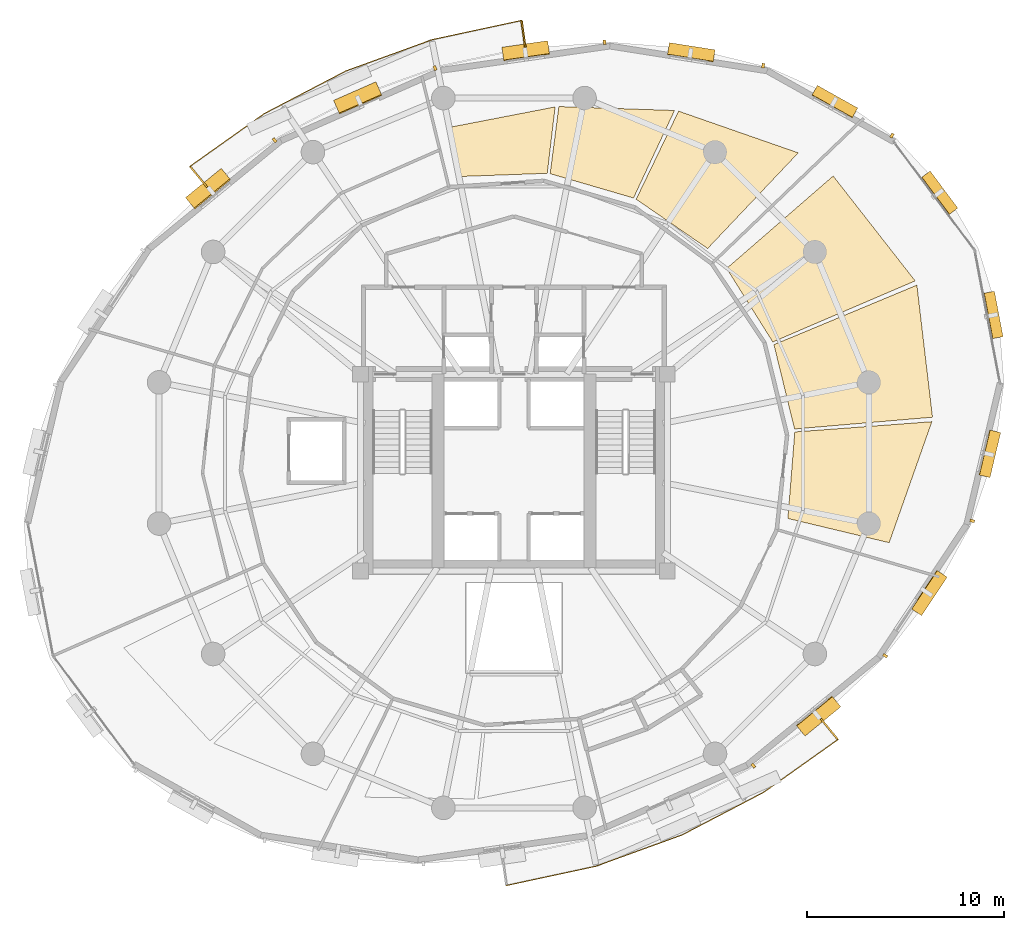
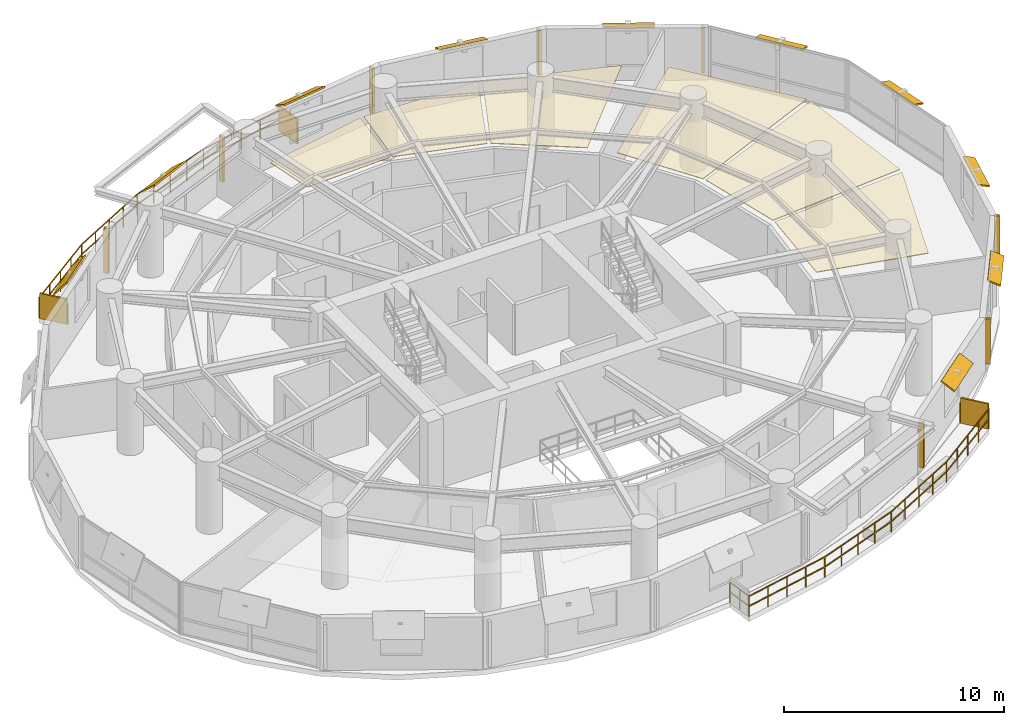
# One storey, part 14 of 14: 21 shading devices, 6 coverings, 2 railings.
"""IFC4 building model written with IfcOpenShell, lengths in metres."""

import ifcopenshell
import ifcopenshell.guid

model = None  # the IFC model being written
_history = None  # IfcOwnerHistory: only IFC2X3 demands one
_inside = {}  # id of a spatial element -> (the spatial element, [elements in it])
_under = {}  # id of a project, library or spatial element -> (it, [spatial elements below it])
_declared = {}  # id of a project -> (the project, [libraries it declares])
_typed = {}  # id of a type object -> (the type object, [elements of that type])
_made_of = {}  # id of a material, layer set ... -> (it, [elements and type objects made of it])


def new_model(schema):
    """Start an empty IFC model of exactly this schema.

    Asked for "IFC4X3", IfcOpenShell would pick the latest addendum, in which some entities
    have other attributes; the version numbers below select the first issue.
    IFC2X3 requires an IfcOwnerHistory on every rooted entity: one is made here for all.
    """
    global model, _history
    if schema == "IFC4X3":
        model = ifcopenshell.file(schema_version=(4, 3, 0, 0))
    else:
        model = ifcopenshell.file(schema=schema)
    _inside.clear()
    _under.clear()
    _declared.clear()
    _typed.clear()
    _made_of.clear()
    _history = None
    if model.schema == "IFC2X3":
        org = make("IfcOrganization", Name="unknown")
        user = make(
            "IfcPersonAndOrganization",
            ThePerson=make("IfcPerson", FamilyName="unknown"),
            TheOrganization=org,
        )
        app = make(
            "IfcApplication",
            ApplicationDeveloper=org,
            Version="unknown",
            ApplicationFullName="unknown",
            ApplicationIdentifier="unknown",
        )
        _history = make(
            "IfcOwnerHistory",
            OwningUser=user,
            OwningApplication=app,
            ChangeAction="ADDED",
            CreationDate=0,
        )
    return model


def make(cls, **values):
    """One entity of the class cls with the attributes given. An attribute that is None is left unset."""
    return model.create_entity(
        cls, **{name: value for name, value in values.items() if value is not None}
    )


def rooted(cls, **values):
    """An entity with a GlobalId (a new one), such as an element, a storey or a relation."""
    return make(cls, GlobalId=ifcopenshell.guid.new(), OwnerHistory=_history, **values)


def si_unit(unit_type, name, prefix=None):
    """IfcSIUnit, for example si_unit("LENGTHUNIT", "METRE", prefix="MILLI")."""
    return make("IfcSIUnit", UnitType=unit_type, Prefix=prefix, Name=name)


def assignment(units):
    """IfcUnitAssignment: the units of a project."""
    return None if units is None else make("IfcUnitAssignment", Units=units)


def point(xyz):
    """IfcCartesianPoint."""
    return None if xyz is None else make("IfcCartesianPoint", Coordinates=xyz)


def direction(xyz):
    """IfcDirection."""
    return None if xyz is None else make("IfcDirection", DirectionRatios=xyz)


def frame(location, z_axis=None, x_axis=None):
    """IfcAxis2Placement3D, a coordinate frame: its origin and axes. An axis left out is left unset."""
    return make(
        "IfcAxis2Placement3D",
        Location=point(location),
        Axis=direction(z_axis),
        RefDirection=direction(x_axis),
    )


def frame_2d(location, x_axis=None):
    """IfcAxis2Placement2D, a coordinate frame in the plane: its origin and x axis."""
    return make(
        "IfcAxis2Placement2D", Location=point(location), RefDirection=direction(x_axis)
    )


def origin():
    """The frame at (0, 0, 0) with its axes left unset."""
    return frame((0.0, 0.0, 0.0))


def origin_2d():
    """The frame at (0, 0) in the plane with its x axis left unset."""
    return frame_2d((0.0, 0.0))


def place(relative_to, where):
    """IfcLocalPlacement: puts the frame where relative to a parent placement (None: the world)."""
    return make(
        "IfcLocalPlacement", PlacementRelTo=relative_to, RelativePlacement=where
    )


def context(
    kind, dimensions, precision=None, world=None, true_north=None, identifier=None
):
    """IfcGeometricRepresentationContext, for example the 3D "Model" context."""
    return make(
        "IfcGeometricRepresentationContext",
        ContextIdentifier=identifier,
        ContextType=kind,
        CoordinateSpaceDimension=dimensions,
        Precision=precision,
        WorldCoordinateSystem=world,
        TrueNorth=true_north,
    )


def subcontext(parent, identifier, kind, view, scale=None):
    """IfcGeometricRepresentationSubContext, for example "Body" below "Model"."""
    return make(
        "IfcGeometricRepresentationSubContext",
        ContextIdentifier=identifier,
        ContextType=kind,
        ParentContext=parent,
        TargetScale=scale,
        TargetView=view,
    )


def project(units=None, contexts=None):
    """IfcProject with its units and contexts."""
    return rooted(
        "IfcProject",
        Name="project",
        RepresentationContexts=contexts,
        UnitsInContext=assignment(units),
    )


def spatial(cls, under=None, at=None, **own):
    """A site, building, storey or space (cls), placed at a placement, below another one or the project."""
    s = rooted(cls, ObjectPlacement=at, **own)
    if under is not None:
        _under.setdefault(under.id(), (under, []))[1].append(s)
    return s


def polyline(points):
    """IfcPolyline through the points."""
    return make("IfcPolyline", Points=[point(p) for p in points])


def profile(cls, at=None, kind="AREA", **sizes):
    """A parametric profile (cls). Its sizes go by their IFC names, for example OverallWidth=200.0."""
    return make(cls, ProfileType=kind, Position=at, **sizes)


def rectangle(**sizes):
    """IfcRectangleProfileDef."""
    return profile("IfcRectangleProfileDef", **sizes)


def outline(outer, holes=None, kind="AREA"):
    """IfcArbitraryClosedProfileDef: a profile drawn as a closed curve; with holes, ...WithVoids."""
    if holes is None:
        return make("IfcArbitraryClosedProfileDef", ProfileType=kind, OuterCurve=outer)
    return make(
        "IfcArbitraryProfileDefWithVoids",
        ProfileType=kind,
        OuterCurve=outer,
        InnerCurves=holes,
    )


def extrude(swept, where, along, depth):
    """IfcExtrudedAreaSolid: the profile swept, set in the frame where, extruded along a direction by depth."""
    return make(
        "IfcExtrudedAreaSolid",
        SweptArea=swept,
        Position=where,
        ExtrudedDirection=direction(along),
        Depth=depth,
    )


def shape(context_of_items, identifier, shape_type, items):
    """IfcShapeRepresentation: the items that make up one representation, for example the "Body"."""
    return make(
        "IfcShapeRepresentation",
        ContextOfItems=context_of_items,
        RepresentationIdentifier=identifier,
        RepresentationType=shape_type,
        Items=items,
    )


def material(Name=None, Category=None):
    """IfcMaterial."""
    return make("IfcMaterial", Name=Name, Category=Category)


def layer(
    of_material, thickness, ventilated=None, Name=None, Category=None, Priority=None
):
    """IfcMaterialLayer: one layer of a wall or slab, of a material (None: an air gap)."""
    return make(
        "IfcMaterialLayer",
        Material=of_material,
        LayerThickness=thickness,
        IsVentilated=ventilated,
        Name=Name,
        Category=Category,
        Priority=Priority,
    )


def layer_set(layers, Name=None):
    """IfcMaterialLayerSet."""
    return make("IfcMaterialLayerSet", MaterialLayers=layers, LayerSetName=Name)


def made_of(thing, what):
    """Note that an element or type object is made of a material, layer set ...; save() writes the relation."""
    if what is not None:
        _made_of.setdefault(what.id(), (what, []))[1].append(thing)
    return thing


def type_object(cls, material=None, **own):
    """A type object (cls), such as IfcWallType, which elements share."""
    return made_of(rooted(cls, **own), material)


def element(
    cls,
    number,
    at=None,
    inside=None,
    cuts=None,
    type_object=None,
    material=None,
    context=None,
    identifier="Body",
    shape_type=None,
    held_by="IfcProductDefinitionShape",
    body=None,
    shapes=None,
    **own,
):
    """One element of the class cls, such as IfcWall. Its Tag is "e" and its number.

    at: its placement. inside: the storey or other place that contains it. cuts: it is an
    opening in that element (IfcRelVoidsElement). A single representation is given by context,
    identifier, shape_type and body (its items); several are given by shapes. held_by: the class
    of the entity that holds the representations. save() writes the other relations.
    """
    e = rooted(cls, Tag="e%d" % number, ObjectPlacement=at, **own)
    if body is not None:
        shapes = [shape(context, identifier, shape_type, body)]
    if shapes is not None:
        e.Representation = make(held_by, Representations=shapes)
    if inside is not None:
        _inside.setdefault(inside.id(), (inside, []))[1].append(e)
    if cuts is not None:
        rooted(
            "IfcRelVoidsElement", RelatingBuildingElement=cuts, RelatedOpeningElement=e
        )
    if type_object is not None:
        _typed.setdefault(type_object.id(), (type_object, []))[1].append(e)
    return made_of(e, material)


def aggregate(whole, parts):
    """IfcRelAggregates: a whole, such as a stair, and the parts it consists of."""
    return rooted("IfcRelAggregates", RelatingObject=whole, RelatedObjects=parts)


def save(model, path):
    """Write the relations noted so far, then the file.

    IfcRelAggregates (storeys below a building ...), IfcRelContainedInSpatialStructure (elements
    in a storey), IfcRelDefinesByType, IfcRelAssociatesMaterial and IfcRelDeclares: one each for
    every whole, place, type object, material and project.
    """
    for whole, parts in _under.values():
        aggregate(whole, parts)
    for where, things in _inside.values():
        rooted(
            "IfcRelContainedInSpatialStructure",
            RelatedElements=things,
            RelatingStructure=where,
        )
    for kind, things in _typed.values():
        rooted("IfcRelDefinesByType", RelatedObjects=things, RelatingType=kind)
    for what, things in _made_of.values():
        rooted("IfcRelAssociatesMaterial", RelatedObjects=things, RelatingMaterial=what)
    for by, libraries in _declared.values():
        rooted("IfcRelDeclares", RelatingContext=by, RelatedDefinitions=libraries)
    model.write(path)


model = new_model("IFC4")

# Units and contexts
model_context = context("Model", 3, precision=1e-05, world=origin(), true_north=direction((0.0, 1.0)))
body_context = subcontext(model_context, "Body", "Model", "MODEL_VIEW")
ifc_project = project(units=[si_unit("LENGTHUNIT", "METRE"), si_unit("AREAUNIT", "SQUARE_METRE"), si_unit("VOLUMEUNIT", "CUBIC_METRE"), si_unit("PLANEANGLEUNIT", "RADIAN"), si_unit("MASSUNIT", "GRAM", prefix="KILO"), si_unit("THERMODYNAMICTEMPERATUREUNIT", "KELVIN"), si_unit("POWERUNIT", "WATT")], contexts=[model_context])

# Site, building, storey
site_placement = place(None, origin())
site = spatial("IfcSite", under=ifc_project, at=site_placement, CompositionType="ELEMENT")
building_placement = place(site_placement, origin())
building = spatial("IfcBuilding", under=site, at=building_placement, Name="Ocrelia Relay Tower", CompositionType="ELEMENT")
storey_placement = place(building_placement, frame((0.0, 0.0, 133.800048828125)))
storey = spatial("IfcBuildingStorey", under=building, at=storey_placement, Name="L31", CompositionType="ELEMENT", Elevation=133.800048828125)

# Coverings
ifc_material_1 = material(Name="Cleanroom metal-pan acoustic ceiling", Category="aluminium")
ifc_layer_1 = layer(ifc_material_1, 0.0400390625, Name="Cleanroom metal-pan acoustic ceiling")
ifc_layer_set_1 = layer_set([ifc_layer_1], Name="Cleanroom metal-pan acoustic ceiling")
covering_type = type_object("IfcCoveringType", Name="COV-CEIL-CLEAN", PredefinedType="CEILING", material=ifc_layer_set_1)
covering_1_placement = place(storey_placement, frame((0.0, 0.0, 2.719970703125)))
element("IfcCovering", 1, at=covering_1_placement, inside=storey, type_object=covering_type, Name="L31 Optical Switching Hall A Suspended Ceiling 1", PredefinedType="CEILING", context=body_context, shape_type="SweptSolid", body=[
    extrude(outline(polyline([(47.92724609375, 22.669189453125), (53.080810546875, 21.436767578125), (55.251220703125, 27.591796875), (48.280029296875, 27.069580078125), (47.92724609375, 22.669189453125)])), origin(), (0.0, 0.0, 1.0), 0.0400390625),
])
covering_2_placement = place(storey_placement, frame((0.0, 0.0, 2.719970703125)))
element("IfcCovering", 2, at=covering_2_placement, inside=storey, type_object=covering_type, Name="L31 Optical Switching Hall A Suspended Ceiling 2", PredefinedType="CEILING", context=body_context, shape_type="SweptSolid", body=[
    extrude(outline(polyline([(48.26806640625, 27.218994140625), (55.2822265625, 27.818359375), (54.48974609375, 34.535888671875), (47.21875, 31.507080078125), (48.26806640625, 27.218994140625)])), origin(), (0.0, 0.0, 1.0), 0.0400390625),
])
covering_3_placement = place(storey_placement, frame((0.0, 0.0, 2.719970703125)))
element("IfcCovering", 3, at=covering_3_placement, inside=storey, type_object=covering_type, Name="L31 Optical Switching Hall A Suspended Ceiling 3", PredefinedType="CEILING", context=body_context, shape_type="SweptSolid", body=[
    extrude(outline(polyline([(47.160400390625, 31.64501953125), (54.401611328125, 34.751220703125), (50.231689453125, 40.085205078125), (44.815673828125, 35.38525390625), (47.160400390625, 31.64501953125)])), origin(), (0.0, 0.0, 1.0), 0.0400390625),
])
covering_4_placement = place(storey_placement, frame((0.0, 0.0, 2.719970703125)))
element("IfcCovering", 4, at=covering_4_placement, inside=storey, type_object=covering_type, Name="L31 Optical Switching Hall B Suspended Ceiling 1", PredefinedType="CEILING", context=body_context, shape_type="SweptSolid", body=[
    extrude(outline(polyline([(43.84814453125, 36.39599609375), (48.45751953125, 41.261474609375), (42.371826171875, 43.38232421875), (40.2138671875, 38.901611328125), (43.84814453125, 36.39599609375)])), origin(), (0.0, 0.0, 1.0), 0.0400390625),
])
covering_5_placement = place(storey_placement, frame((0.0, 0.0, 2.719970703125)))
element("IfcCovering", 5, at=covering_5_placement, inside=storey, type_object=covering_type, Name="L31 Optical Switching Hall B Suspended Ceiling 2", PredefinedType="CEILING", context=body_context, shape_type="SweptSolid", body=[
    extrude(outline(polyline([(40.078369140625, 38.966064453125), (42.164794921875, 43.4169921875), (36.28271484375, 43.615234375), (35.840087890625, 40.201416015625), (40.078369140625, 38.966064453125)])), origin(), (0.0, 0.0, 1.0), 0.0400390625),
])
covering_6_placement = place(storey_placement, frame((0.0, 0.0, 2.719970703125)))
element("IfcCovering", 6, at=covering_6_placement, inside=storey, type_object=covering_type, Name="L31 Optical Switching Hall B Suspended Ceiling 3", PredefinedType="CEILING", context=body_context, shape_type="SweptSolid", body=[
    extrude(outline(polyline([(35.69140625, 40.2197265625), (36.09326171875, 43.598388671875), (30.79345703125, 42.573486328125), (31.27978515625, 40.059326171875), (35.69140625, 40.2197265625)])), origin(), (0.0, 0.0, 1.0), 0.0400390625),
])

# Railings
ifc_material_2 = material(Name="Steel S355 balustrade", Category="steel")
railing_type = type_object("IfcRailingType", Name="RL-EXT-GUARD-1150", PredefinedType="GUARDRAIL", material=ifc_material_2)
railing_1_placement = place(storey_placement, frame((18.41064453125, 39.49951171875, 0.0)))
element("IfcRailing", 7, at=railing_1_placement, inside=storey, type_object=railing_type, Name="L31 Loggia Balcony Guard Rail B1", PredefinedType="GUARDRAIL", context=body_context, shape_type="SweptSolid", body=[
    extrude(rectangle(XDim=0.048095703125, YDim=0.048095703125, at=origin_2d()), frame((0.0, 0.0, 1.1259765625), z_axis=(-0.634896322656, 0.772597346279, 0.0), x_axis=(-0.772597346279, -0.634896322656, 0.0)), (0.0, 0.0, 1.0), 1.3935546875),
    extrude(rectangle(XDim=0.048095703125, YDim=0.048095703125, at=origin_2d()), frame((0.0, 0.0, 0.574951171875), z_axis=(-0.634896322656, 0.772597346279, 0.0), x_axis=(-0.772597346279, -0.634896322656, 0.0)), (0.0, 0.0, 1.0), 1.3935546875),
    extrude(rectangle(XDim=0.048095703125, YDim=0.048095703125, at=origin_2d()), frame((-0.884765625, 1.07666015625, 1.1259765625), z_axis=(0.81542528089, 0.578862342258, 0.0), x_axis=(-0.578862342258, 0.81542528089, 0.0)), (0.0, 0.0, 1.0), 2.31591796875),
    extrude(rectangle(XDim=0.048095703125, YDim=0.048095703125, at=origin_2d()), frame((-0.884765625, 1.07666015625, 0.574951171875), z_axis=(0.81542528089, 0.578862342258, 0.0), x_axis=(-0.578862342258, 0.81542528089, 0.0)), (0.0, 0.0, 1.0), 2.31591796875),
    extrude(rectangle(XDim=0.048095703125, YDim=0.048095703125, at=origin_2d()), frame((1.003662109375, 2.417236328125, 1.1259765625), z_axis=(0.81542528089, 0.578862342258, 0.0), x_axis=(-0.578862342258, 0.81542528089, 0.0)), (0.0, 0.0, 1.0), 2.31591796875),
    extrude(rectangle(XDim=0.048095703125, YDim=0.048095703125, at=origin_2d()), frame((1.003662109375, 2.417236328125, 0.574951171875), z_axis=(0.81542528089, 0.578862342258, 0.0), x_axis=(-0.578862342258, 0.81542528089, 0.0)), (0.0, 0.0, 1.0), 2.31591796875),
    extrude(rectangle(XDim=0.048095703125, YDim=0.048095703125, at=origin_2d()), frame((2.89208984375, 3.7578125, 1.1259765625), z_axis=(0.886285280109, 0.463139722182, 0.0), x_axis=(-0.463139722182, 0.886285280109, 0.0)), (0.0, 0.0, 1.0), 4.68212890625),
    extrude(rectangle(XDim=0.048095703125, YDim=0.048095703125, at=origin_2d()), frame((2.89208984375, 3.7578125, 0.574951171875), z_axis=(0.886285280109, 0.463139722182, 0.0), x_axis=(-0.463139722182, 0.886285280109, 0.0)), (0.0, 0.0, 1.0), 4.68212890625),
    extrude(rectangle(XDim=0.048095703125, YDim=0.048095703125, at=origin_2d()), frame((7.041748046875, 5.92626953125, 1.1259765625), z_axis=(0.940229584841, 0.340541227739, 0.0), x_axis=(-0.340541227739, 0.940229584841, 0.0)), (0.0, 0.0, 1.0), 4.68212890625),
    extrude(rectangle(XDim=0.048095703125, YDim=0.048095703125, at=origin_2d()), frame((7.041748046875, 5.92626953125, 0.574951171875), z_axis=(0.940229584841, 0.340541227739, 0.0), x_axis=(-0.340541227739, 0.940229584841, 0.0)), (0.0, 0.0, 1.0), 4.68212890625),
    extrude(rectangle(XDim=0.048095703125, YDim=0.048095703125, at=origin_2d()), frame((11.444091796875, 7.520751953125, 1.1259765625), z_axis=(0.977678824175, 0.210105013649, 0.0), x_axis=(-0.210105013649, 0.977678824175, 0.0)), (0.0, 0.0, 1.0), 2.31591796875),
    extrude(rectangle(XDim=0.048095703125, YDim=0.048095703125, at=origin_2d()), frame((11.444091796875, 7.520751953125, 0.574951171875), z_axis=(0.977678824175, 0.210105013649, 0.0), x_axis=(-0.210105013649, 0.977678824175, 0.0)), (0.0, 0.0, 1.0), 2.31591796875),
    extrude(rectangle(XDim=0.048095703125, YDim=0.048095703125, at=origin_2d()), frame((13.708251953125, 8.00732421875, 1.1259765625), z_axis=(0.977674169717, 0.210126671007, 0.0), x_axis=(-0.210126671007, 0.977674169717, 0.0)), (0.0, 0.0, 1.0), 2.315673828125),
    extrude(rectangle(XDim=0.048095703125, YDim=0.048095703125, at=origin_2d()), frame((13.708251953125, 8.00732421875, 0.574951171875), z_axis=(0.977674169717, 0.210126671007, 0.0), x_axis=(-0.210126671007, 0.977674169717, 0.0)), (0.0, 0.0, 1.0), 2.315673828125),
    extrude(rectangle(XDim=0.048095703125, YDim=0.048095703125, at=origin_2d()), frame((15.97216796875, 8.493896484375, 1.1259765625), z_axis=(0.140881639388, -0.990026445951, 0.0), x_axis=(0.990026445951, 0.140881639388, 0.0)), (0.0, 0.0, 1.0), 1.393310546875),
    extrude(rectangle(XDim=0.048095703125, YDim=0.048095703125, at=origin_2d()), frame((15.97216796875, 8.493896484375, 0.574951171875), z_axis=(0.140881639388, -0.990026445951, 0.0), x_axis=(0.990026445951, 0.140881639388, 0.0)), (0.0, 0.0, 1.0), 1.393310546875),
    extrude(rectangle(XDim=0.0419921875, YDim=0.0419921875, at=origin_2d()), origin(), (0.0, 0.0, 1.0), 1.101806640625),
    extrude(rectangle(XDim=0.0419921875, YDim=0.0419921875, at=origin_2d()), frame((-0.4423828125, 0.538330078125, 0.0)), (0.0, 0.0, 1.0), 1.101806640625),
    extrude(rectangle(XDim=0.0419921875, YDim=0.0419921875, at=origin_2d()), frame((-0.884765625, 1.07666015625, 0.0)), (0.0, 0.0, 1.0), 1.101806640625),
    extrude(rectangle(XDim=0.0419921875, YDim=0.0419921875, at=origin_2d()), frame((0.0595703125, 1.7470703125, 0.0)), (0.0, 0.0, 1.0), 1.101806640625),
    extrude(rectangle(XDim=0.0419921875, YDim=0.0419921875, at=origin_2d()), frame((1.003662109375, 2.417236328125, 0.0)), (0.0, 0.0, 1.0), 1.101806640625),
    extrude(rectangle(XDim=0.0419921875, YDim=0.0419921875, at=origin_2d()), frame((1.94775390625, 3.08740234375, 0.0)), (0.0, 0.0, 1.0), 1.101806640625),
    extrude(rectangle(XDim=0.0419921875, YDim=0.0419921875, at=origin_2d()), frame((2.89208984375, 3.7578125, 0.0)), (0.0, 0.0, 1.0), 1.101806640625),
    extrude(rectangle(XDim=0.0419921875, YDim=0.0419921875, at=origin_2d()), frame((3.929443359375, 4.2998046875, 0.0)), (0.0, 0.0, 1.0), 1.101806640625),
    extrude(rectangle(XDim=0.0419921875, YDim=0.0419921875, at=origin_2d()), frame((4.966796875, 4.842041015625, 0.0)), (0.0, 0.0, 1.0), 1.101806640625),
    extrude(rectangle(XDim=0.0419921875, YDim=0.0419921875, at=origin_2d()), frame((6.00439453125, 5.38427734375, 0.0)), (0.0, 0.0, 1.0), 1.101806640625),
    extrude(rectangle(XDim=0.0419921875, YDim=0.0419921875, at=origin_2d()), frame((7.041748046875, 5.92626953125, 0.0)), (0.0, 0.0, 1.0), 1.101806640625),
    extrude(rectangle(XDim=0.0419921875, YDim=0.0419921875, at=origin_2d()), frame((8.142333984375, 6.324951171875, 0.0)), (0.0, 0.0, 1.0), 1.101806640625),
    extrude(rectangle(XDim=0.0419921875, YDim=0.0419921875, at=origin_2d()), frame((9.242919921875, 6.7236328125, 0.0)), (0.0, 0.0, 1.0), 1.101806640625),
    extrude(rectangle(XDim=0.0419921875, YDim=0.0419921875, at=origin_2d()), frame((10.343505859375, 7.1220703125, 0.0)), (0.0, 0.0, 1.0), 1.101806640625),
    extrude(rectangle(XDim=0.0419921875, YDim=0.0419921875, at=origin_2d()), frame((11.444091796875, 7.520751953125, 0.0)), (0.0, 0.0, 1.0), 1.101806640625),
    extrude(rectangle(XDim=0.0419921875, YDim=0.0419921875, at=origin_2d()), frame((12.576171875, 7.76416015625, 0.0)), (0.0, 0.0, 1.0), 1.101806640625),
    extrude(rectangle(XDim=0.0419921875, YDim=0.0419921875, at=origin_2d()), frame((13.708251953125, 8.00732421875, 0.0)), (0.0, 0.0, 1.0), 1.101806640625),
    extrude(rectangle(XDim=0.0419921875, YDim=0.0419921875, at=origin_2d()), frame((14.84033203125, 8.25048828125, 0.0)), (0.0, 0.0, 1.0), 1.101806640625),
    extrude(rectangle(XDim=0.0419921875, YDim=0.0419921875, at=origin_2d()), frame((15.97216796875, 8.493896484375, 0.0)), (0.0, 0.0, 1.0), 1.101806640625),
    extrude(rectangle(XDim=0.0419921875, YDim=0.0419921875, at=origin_2d()), frame((16.0703125, 7.80419921875, 0.0)), (0.0, 0.0, 1.0), 1.101806640625),
    extrude(rectangle(XDim=0.0419921875, YDim=0.0419921875, at=origin_2d()), frame((16.16845703125, 7.114501953125, 0.0)), (0.0, 0.0, 1.0), 1.101806640625),
])
railing_2_placement = place(storey_placement, frame((49.58935546875, 12.50048828125, 0.0)))
element("IfcRailing", 8, at=railing_2_placement, inside=storey, type_object=railing_type, Name="L31 Loggia Balcony Guard Rail B2", PredefinedType="GUARDRAIL", context=body_context, shape_type="SweptSolid", body=[
    extrude(rectangle(XDim=0.048095703125, YDim=0.048095703125, at=origin_2d()), frame((0.0, 0.0, 1.1259765625), z_axis=(0.634896322656, -0.772597346279, 0.0), x_axis=(0.772597346279, 0.634896322656, 0.0)), (0.0, 0.0, 1.0), 1.3935546875),
    extrude(rectangle(XDim=0.048095703125, YDim=0.048095703125, at=origin_2d()), frame((0.0, 0.0, 0.574951171875), z_axis=(0.634896322656, -0.772597346279, 0.0), x_axis=(0.772597346279, 0.634896322656, 0.0)), (0.0, 0.0, 1.0), 1.3935546875),
    extrude(rectangle(XDim=0.048095703125, YDim=0.048095703125, at=origin_2d()), frame((0.884765625, -1.07666015625, 1.1259765625), z_axis=(-0.81542528089, -0.578862342258, 0.0), x_axis=(0.578862342258, -0.81542528089, 0.0)), (0.0, 0.0, 1.0), 2.31591796875),
    extrude(rectangle(XDim=0.048095703125, YDim=0.048095703125, at=origin_2d()), frame((0.884765625, -1.07666015625, 0.574951171875), z_axis=(-0.81542528089, -0.578862342258, 0.0), x_axis=(0.578862342258, -0.81542528089, 0.0)), (0.0, 0.0, 1.0), 2.31591796875),
    extrude(rectangle(XDim=0.048095703125, YDim=0.048095703125, at=origin_2d()), frame((-1.003662109375, -2.417236328125, 1.1259765625), z_axis=(-0.81542528089, -0.578862342258, 0.0), x_axis=(0.578862342258, -0.81542528089, 0.0)), (0.0, 0.0, 1.0), 2.31591796875),
    extrude(rectangle(XDim=0.048095703125, YDim=0.048095703125, at=origin_2d()), frame((-1.003662109375, -2.417236328125, 0.574951171875), z_axis=(-0.81542528089, -0.578862342258, 0.0), x_axis=(0.578862342258, -0.81542528089, 0.0)), (0.0, 0.0, 1.0), 2.31591796875),
    extrude(rectangle(XDim=0.048095703125, YDim=0.048095703125, at=origin_2d()), frame((-2.89208984375, -3.7578125, 1.1259765625), z_axis=(-0.886285280109, -0.463139722182, 0.0), x_axis=(0.463139722182, -0.886285280109, 0.0)), (0.0, 0.0, 1.0), 4.68212890625),
    extrude(rectangle(XDim=0.048095703125, YDim=0.048095703125, at=origin_2d()), frame((-2.89208984375, -3.7578125, 0.574951171875), z_axis=(-0.886285280109, -0.463139722182, 0.0), x_axis=(0.463139722182, -0.886285280109, 0.0)), (0.0, 0.0, 1.0), 4.68212890625),
    extrude(rectangle(XDim=0.048095703125, YDim=0.048095703125, at=origin_2d()), frame((-7.041748046875, -5.92626953125, 1.1259765625), z_axis=(-0.940229584841, -0.340541227739, 0.0), x_axis=(0.340541227739, -0.940229584841, 0.0)), (0.0, 0.0, 1.0), 4.68212890625),
    extrude(rectangle(XDim=0.048095703125, YDim=0.048095703125, at=origin_2d()), frame((-7.041748046875, -5.92626953125, 0.574951171875), z_axis=(-0.940229584841, -0.340541227739, 0.0), x_axis=(0.340541227739, -0.940229584841, 0.0)), (0.0, 0.0, 1.0), 4.68212890625),
    extrude(rectangle(XDim=0.048095703125, YDim=0.048095703125, at=origin_2d()), frame((-11.444091796875, -7.520751953125, 1.1259765625), z_axis=(-0.977678824175, -0.210105013649, 0.0), x_axis=(0.210105013649, -0.977678824175, 0.0)), (0.0, 0.0, 1.0), 2.31591796875),
    extrude(rectangle(XDim=0.048095703125, YDim=0.048095703125, at=origin_2d()), frame((-11.444091796875, -7.520751953125, 0.574951171875), z_axis=(-0.977678824175, -0.210105013649, 0.0), x_axis=(0.210105013649, -0.977678824175, 0.0)), (0.0, 0.0, 1.0), 2.31591796875),
    extrude(rectangle(XDim=0.048095703125, YDim=0.048095703125, at=origin_2d()), frame((-13.708251953125, -8.00732421875, 1.1259765625), z_axis=(-0.977674169717, -0.210126671007, 0.0), x_axis=(0.210126671007, -0.977674169717, 0.0)), (0.0, 0.0, 1.0), 2.315673828125),
    extrude(rectangle(XDim=0.048095703125, YDim=0.048095703125, at=origin_2d()), frame((-13.708251953125, -8.00732421875, 0.574951171875), z_axis=(-0.977674169717, -0.210126671007, 0.0), x_axis=(0.210126671007, -0.977674169717, 0.0)), (0.0, 0.0, 1.0), 2.315673828125),
    extrude(rectangle(XDim=0.048095703125, YDim=0.048095703125, at=origin_2d()), frame((-15.97216796875, -8.493896484375, 1.1259765625), z_axis=(-0.140881639388, 0.990026445951, 0.0), x_axis=(-0.990026445951, -0.140881639388, 0.0)), (0.0, 0.0, 1.0), 1.393310546875),
    extrude(rectangle(XDim=0.048095703125, YDim=0.048095703125, at=origin_2d()), frame((-15.97216796875, -8.493896484375, 0.574951171875), z_axis=(-0.140881639388, 0.990026445951, 0.0), x_axis=(-0.990026445951, -0.140881639388, 0.0)), (0.0, 0.0, 1.0), 1.393310546875),
    extrude(rectangle(XDim=0.0419921875, YDim=0.0419921875, at=origin_2d()), origin(), (0.0, 0.0, 1.0), 1.101806640625),
    extrude(rectangle(XDim=0.0419921875, YDim=0.0419921875, at=origin_2d()), frame((0.4423828125, -0.538330078125, 0.0)), (0.0, 0.0, 1.0), 1.101806640625),
    extrude(rectangle(XDim=0.0419921875, YDim=0.0419921875, at=origin_2d()), frame((0.884765625, -1.07666015625, 0.0)), (0.0, 0.0, 1.0), 1.101806640625),
    extrude(rectangle(XDim=0.0419921875, YDim=0.0419921875, at=origin_2d()), frame((-0.0595703125, -1.7470703125, 0.0)), (0.0, 0.0, 1.0), 1.101806640625),
    extrude(rectangle(XDim=0.0419921875, YDim=0.0419921875, at=origin_2d()), frame((-1.003662109375, -2.417236328125, 0.0)), (0.0, 0.0, 1.0), 1.101806640625),
    extrude(rectangle(XDim=0.0419921875, YDim=0.0419921875, at=origin_2d()), frame((-1.94775390625, -3.08740234375, 0.0)), (0.0, 0.0, 1.0), 1.101806640625),
    extrude(rectangle(XDim=0.0419921875, YDim=0.0419921875, at=origin_2d()), frame((-2.89208984375, -3.7578125, 0.0)), (0.0, 0.0, 1.0), 1.101806640625),
    extrude(rectangle(XDim=0.0419921875, YDim=0.0419921875, at=origin_2d()), frame((-3.929443359375, -4.2998046875, 0.0)), (0.0, 0.0, 1.0), 1.101806640625),
    extrude(rectangle(XDim=0.0419921875, YDim=0.0419921875, at=origin_2d()), frame((-4.966796875, -4.842041015625, 0.0)), (0.0, 0.0, 1.0), 1.101806640625),
    extrude(rectangle(XDim=0.0419921875, YDim=0.0419921875, at=origin_2d()), frame((-6.00439453125, -5.38427734375, 0.0)), (0.0, 0.0, 1.0), 1.101806640625),
    extrude(rectangle(XDim=0.0419921875, YDim=0.0419921875, at=origin_2d()), frame((-7.041748046875, -5.92626953125, 0.0)), (0.0, 0.0, 1.0), 1.101806640625),
    extrude(rectangle(XDim=0.0419921875, YDim=0.0419921875, at=origin_2d()), frame((-8.142333984375, -6.324951171875, 0.0)), (0.0, 0.0, 1.0), 1.101806640625),
    extrude(rectangle(XDim=0.0419921875, YDim=0.0419921875, at=origin_2d()), frame((-9.242919921875, -6.7236328125, 0.0)), (0.0, 0.0, 1.0), 1.101806640625),
    extrude(rectangle(XDim=0.0419921875, YDim=0.0419921875, at=origin_2d()), frame((-10.343505859375, -7.1220703125, 0.0)), (0.0, 0.0, 1.0), 1.101806640625),
    extrude(rectangle(XDim=0.0419921875, YDim=0.0419921875, at=origin_2d()), frame((-11.444091796875, -7.520751953125, 0.0)), (0.0, 0.0, 1.0), 1.101806640625),
    extrude(rectangle(XDim=0.0419921875, YDim=0.0419921875, at=origin_2d()), frame((-12.576171875, -7.76416015625, 0.0)), (0.0, 0.0, 1.0), 1.101806640625),
    extrude(rectangle(XDim=0.0419921875, YDim=0.0419921875, at=origin_2d()), frame((-13.708251953125, -8.00732421875, 0.0)), (0.0, 0.0, 1.0), 1.101806640625),
    extrude(rectangle(XDim=0.0419921875, YDim=0.0419921875, at=origin_2d()), frame((-14.84033203125, -8.25048828125, 0.0)), (0.0, 0.0, 1.0), 1.101806640625),
    extrude(rectangle(XDim=0.0419921875, YDim=0.0419921875, at=origin_2d()), frame((-15.97216796875, -8.493896484375, 0.0)), (0.0, 0.0, 1.0), 1.101806640625),
    extrude(rectangle(XDim=0.0419921875, YDim=0.0419921875, at=origin_2d()), frame((-16.0703125, -7.80419921875, 0.0)), (0.0, 0.0, 1.0), 1.101806640625),
    extrude(rectangle(XDim=0.0419921875, YDim=0.0419921875, at=origin_2d()), frame((-16.16845703125, -7.114501953125, 0.0)), (0.0, 0.0, 1.0), 1.101806640625),
])

# Shading devices
ifc_material_3 = material(Name="Perforated oxide terracotta solar screen", Category="masonry")
ifc_layer_2 = layer(ifc_material_3, 0.090087890625, Name="Perforated oxide terracotta solar screen")
ifc_layer_set_2 = layer_set([ifc_layer_2], Name="Perforated oxide terracotta solar screen")
shading_device_type_1 = type_object("IfcShadingDeviceType", Name="SH-BALC-SCREEN", PredefinedType="USERDEFINED", material=ifc_layer_set_2)
for number, where, z_axis, x_axis, name in (
    (9, (34.48095703125, 47.3037109375, 0.0), (0.0, 0.0, 1.0), (-0.140878775889, 0.990026853426, 0.0), "L31 Balcony Perforated Terracotta Screen B1-1"),
    (10, (17.96826171875, 40.037841796875, 0.0), (0.0, 0.0, 1.0), (-0.634811347108, 0.772667168698, 0.0), "L31 Balcony Perforated Terracotta Screen B1-2"),
    (11, (50.03173828125, 11.962158203125, 0.0), (0.0, 0.0, 1.0), (0.634811347108, -0.772667168698, 0.0), "L31 Balcony Perforated Terracotta Screen B2-2"),
):
    element("IfcShadingDevice", number, at=place(storey_placement, frame(where, z_axis=z_axis, x_axis=x_axis)), inside=storey, type_object=shading_device_type_1, Name=name, ObjectType="SCREEN", PredefinedType="USERDEFINED", context=body_context, shape_type="SweptSolid", body=[
        extrude(rectangle(XDim=1.340087890625, YDim=0.090087890625, at=origin_2d()), origin(), (0.0, 0.0, 1.0), 1.39990234375),
    ])
ifc_material_4 = material(Name="Extruded oxide terracotta vertical baguette", Category="masonry")
shading_device_type_2 = type_object("IfcShadingDeviceType", Name="SH-TERR-BAGUETTE", PredefinedType="USERDEFINED", material=ifc_material_4)
for number, where, z_axis, x_axis, name in (
    (12, (53.221923828125, 42.142333984375, 0.199951171875), (0.0, 0.0, 1.0), (-0.872663947085, 0.488321242071, 0.0), "L31 Oxide Terracotta Vertical Baguette 02"),
    (13, (46.6748046875, 45.6943359375, 0.199951171875), (0.0, 0.0, 1.0), (-0.987775482141, 0.155883279675, 0.0), "L31 Oxide Terracotta Vertical Baguette 03"),
    (14, (38.609375, 46.88525390625, 0.199951171875), (0.0, 0.0, 1.0), (-0.989829456122, -0.142259086855, 0.0), "L31 Oxide Terracotta Vertical Baguette 04"),
    (15, (29.982666015625, 45.57177734375, 0.199951171875), (0.0, 0.0, 1.0), (-0.915312212944, -0.402745022111, 0.0), "L31 Oxide Terracotta Vertical Baguette 05"),
    (16, (21.82568359375, 41.903076171875, 0.199951171875), (0.0, 0.0, 1.0), (-0.773601684321, -0.633672181822, 0.0), "L31 Oxide Terracotta Vertical Baguette 06"),
    (17, (46.17431640625, 10.096923828125, 0.199951171875), (0.0, 0.0, 1.0), (0.773601684321, 0.633672181822, 0.0), "L31 Oxide Terracotta Vertical Baguette 15"),
    (18, (52.87646484375, 15.691650390625, 0.199951171875), (0.0, 0.0, 1.0), (0.552406115768, 0.833575121547, 0.0), "L31 Oxide Terracotta Vertical Baguette 16"),
    (19, (57.302978515625, 22.54736328125, 0.199951171875), (0.0, 0.0, 1.0), (0.229533778971, 0.973300695731, 0.0), "L31 Oxide Terracotta Vertical Baguette 17"),
):
    element("IfcShadingDevice", number, at=place(storey_placement, frame(where, z_axis=z_axis, x_axis=x_axis)), inside=storey, type_object=shading_device_type_2, Name=name, ObjectType="BAGUETTE", PredefinedType="USERDEFINED", context=body_context, shape_type="SweptSolid", body=[
        extrude(rectangle(XDim=0.139892578125, YDim=0.239990234375, at=origin_2d()), origin(), (0.0, 0.0, 1.0), 2.5),
    ])
ifc_material_5 = material(Name="Extruded oxide terracotta fin", Category="masonry")
ifc_layer_3 = layer(ifc_material_5, 0.080078125, Name="Extruded oxide terracotta fin")
ifc_layer_set_3 = layer_set([ifc_layer_3], Name="Extruded oxide terracotta fin")
shading_device_type_3 = type_object("IfcShadingDeviceType", Name="SH-VISOR-FIN-MED", PredefinedType="USERDEFINED", material=ifc_layer_set_3)
shading_device_1_placement = place(storey_placement, frame((26.066162109375, 44.031005859375, 2.7099609375), z_axis=(-0.266761618123, 0.606264891203, 0.749186973186), x_axis=(-0.915312212944, -0.402745022111, 0.0)))
element("IfcShadingDevice", 20, at=shading_device_1_placement, inside=storey, type_object=shading_device_type_3, Name="L31 Canted Terracotta Sun-Visor Fin 05", ObjectType="FIN", PredefinedType="USERDEFINED", context=body_context, shape_type="SweptSolid", body=[
    extrude(rectangle(XDim=2.35009765625, YDim=0.94091796875, at=origin_2d()), origin(), (0.0, 0.0, 1.0), 0.080078125),
])
shading_device_2_placement = place(storey_placement, frame((18.46533203125, 39.413330078125, 2.71533203125), z_axis=(-0.498180765536, 0.608190623434, 0.617996836899), x_axis=(-0.773601684321, -0.633672181822, 0.0)))
element("IfcShadingDevice", 21, at=shading_device_2_placement, inside=storey, type_object=shading_device_type_3, Name="L31 Canted Terracotta Sun-Visor Fin 06", ObjectType="FIN", PredefinedType="USERDEFINED", context=body_context, shape_type="SweptSolid", body=[
    extrude(rectangle(XDim=2.35009765625, YDim=1.114013671875, at=origin_2d()), origin(), (0.0, 0.0, 1.0), 0.080078125),
])
shading_device_3_placement = place(storey_placement, frame((49.4716796875, 12.638916015625, 2.7060546875), z_axis=(0.337388067813, -0.411891171834, 0.846472063486), x_axis=(0.773601684321, 0.633672181822, 0.0)))
element("IfcShadingDevice", 22, at=shading_device_3_placement, inside=storey, type_object=shading_device_type_3, Name="L31 Canted Terracotta Sun-Visor Fin 15", ObjectType="FIN", PredefinedType="USERDEFINED", context=body_context, shape_type="SweptSolid", body=[
    extrude(rectangle(XDim=2.35009765625, YDim=0.785888671875, at=origin_2d()), origin(), (0.0, 0.0, 1.0), 0.080078125),
])
ifc_layer_4 = layer(ifc_material_5, 0.080078125, Name="Extruded oxide terracotta fin")
ifc_layer_set_4 = layer_set([ifc_layer_4], Name="Extruded oxide terracotta fin")
shading_device_type_4 = type_object("IfcShadingDeviceType", Name="SH-VISOR-FIN-SHAL", PredefinedType="USERDEFINED", material=ifc_layer_set_4)
shading_device_4_placement = place(storey_placement, frame((55.634033203125, 39.22412109375, 2.701904296875), z_axis=(0.249694460881, 0.186248584105, 0.950244253402), x_axis=(-0.597897658661, 0.801572448234, 0.0)))
element("IfcShadingDevice", 23, at=shading_device_4_placement, inside=storey, type_object=shading_device_type_4, Name="L31 Canted Terracotta Sun-Visor Fin 01", ObjectType="FIN", PredefinedType="USERDEFINED", context=body_context, shape_type="SweptSolid", body=[
    extrude(rectangle(XDim=2.35009765625, YDim=0.552978515625, at=origin_2d()), origin(), (0.0, 0.0, 1.0), 0.080078125),
])
shading_device_5_placement = place(storey_placement, frame((50.308349609375, 43.853515625, 2.702392578125), z_axis=(0.165733639667, 0.296177515323, 0.940644056006), x_axis=(-0.872663947085, 0.488321242071, 0.0)))
element("IfcShadingDevice", 24, at=shading_device_5_placement, inside=storey, type_object=shading_device_type_4, Name="L31 Canted Terracotta Sun-Visor Fin 02", ObjectType="FIN", PredefinedType="USERDEFINED", context=body_context, shape_type="SweptSolid", body=[
    extrude(rectangle(XDim=2.35009765625, YDim=0.5810546875, at=origin_2d()), origin(), (0.0, 0.0, 1.0), 0.080078125),
])
shading_device_6_placement = place(storey_placement, frame((43.013671875, 46.357177734375, 2.703369140625), z_axis=(0.063204543216, 0.400504135394, 0.914112478445), x_axis=(-0.987775482141, 0.155883279675, 0.0)))
element("IfcShadingDevice", 25, at=shading_device_6_placement, inside=storey, type_object=shading_device_type_4, Name="L31 Canted Terracotta Sun-Visor Fin 03", ObjectType="FIN", PredefinedType="USERDEFINED", context=body_context, shape_type="SweptSolid", body=[
    extrude(rectangle(XDim=2.35009765625, YDim=0.64892578125, at=origin_2d()), origin(), (0.0, 0.0, 1.0), 0.080078125),
])
shading_device_7_placement = place(storey_placement, frame((34.601318359375, 46.4296875, 2.705810546875), z_axis=(-0.073757752462, 0.513201635258, 0.855092904614), x_axis=(-0.989829456122, -0.142259086855, 0.0)))
element("IfcShadingDevice", 26, at=shading_device_7_placement, inside=storey, type_object=shading_device_type_4, Name="L31 Canted Terracotta Sun-Visor Fin 04", ObjectType="FIN", PredefinedType="USERDEFINED", context=body_context, shape_type="SweptSolid", body=[
    extrude(rectangle(XDim=2.35009765625, YDim=0.77001953125, at=origin_2d()), origin(), (0.0, 0.0, 1.0), 0.080078125),
])
shading_device_8_placement = place(storey_placement, frame((55.100830078125, 18.8916015625, 2.70361328125), z_axis=(0.347398108626, -0.230219010681, 0.909018020308), x_axis=(0.552406115768, 0.833575121547, 0.0)))
element("IfcShadingDevice", 27, at=shading_device_8_placement, inside=storey, type_object=shading_device_type_4, Name="L31 Canted Terracotta Sun-Visor Fin 16", ObjectType="FIN", PredefinedType="USERDEFINED", context=body_context, shape_type="SweptSolid", body=[
    extrude(rectangle(XDim=2.35009765625, YDim=0.659912109375, at=origin_2d()), origin(), (0.0, 0.0, 1.0), 0.080078125),
])
shading_device_9_placement = place(storey_placement, frame((58.1826171875, 25.962158203125, 2.702392578125), z_axis=(0.337194698714, -0.079520721381, 0.938070461122), x_axis=(0.229533778971, 0.973300695731, 0.0)))
element("IfcShadingDevice", 28, at=shading_device_9_placement, inside=storey, type_object=shading_device_type_4, Name="L31 Canted Terracotta Sun-Visor Fin 17", ObjectType="FIN", PredefinedType="USERDEFINED", context=body_context, shape_type="SweptSolid", body=[
    extrude(rectangle(XDim=2.35009765625, YDim=0.587890625, at=origin_2d()), origin(), (0.0, 0.0, 1.0), 0.080078125),
])
shading_device_10_placement = place(storey_placement, frame((58.365966796875, 33.016357421875, 2.701904296875), z_axis=(0.30828814719, 0.058699610666, 0.949480265203), x_axis=(-0.187044640292, 0.982351414993, 0.0)))
element("IfcShadingDevice", 29, at=shading_device_10_placement, inside=storey, type_object=shading_device_type_4, Name="L31 Canted Terracotta Sun-Visor Fin 18", ObjectType="FIN", PredefinedType="USERDEFINED", context=body_context, shape_type="SweptSolid", body=[
    extrude(rectangle(XDim=2.35009765625, YDim=0.554931640625, at=origin_2d()), origin(), (0.0, 0.0, 1.0), 0.080078125),
])

save(model, "model.ifc")
